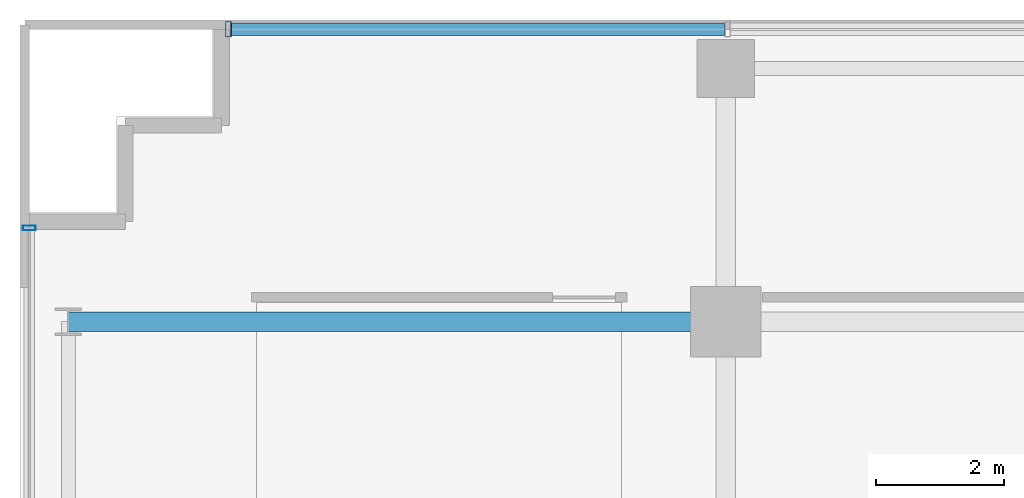
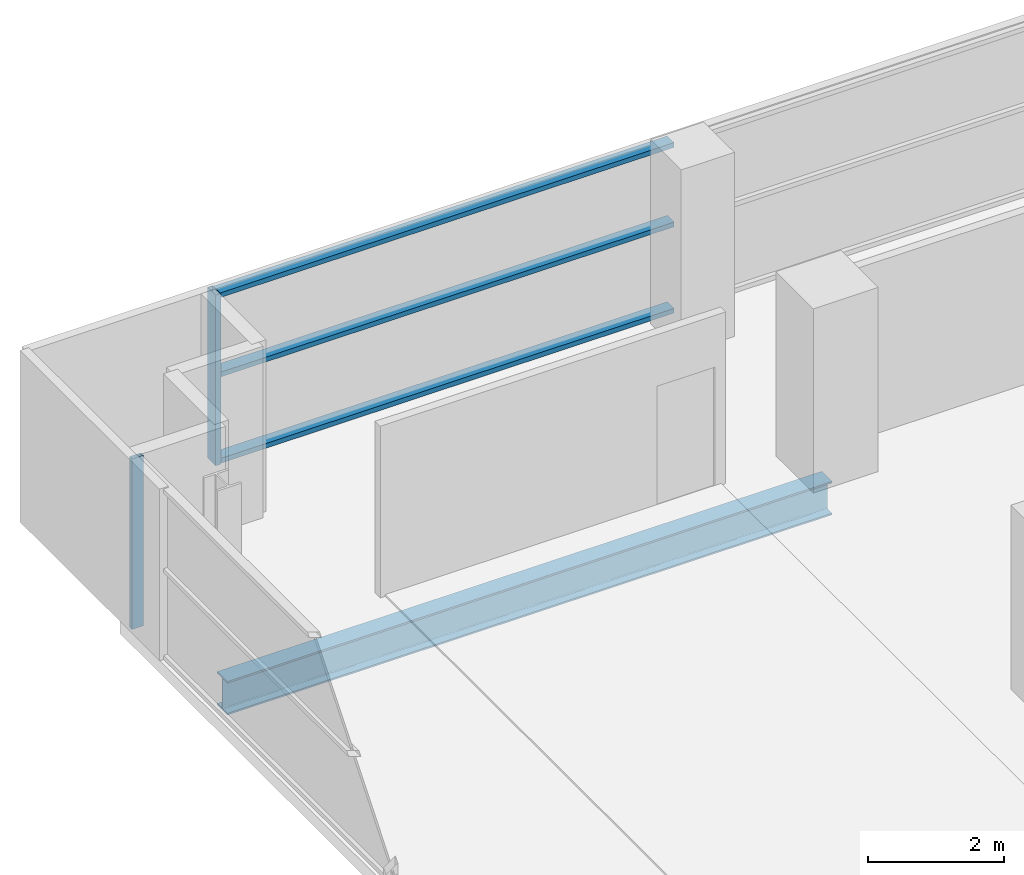
# One storey, part 16 of 30: 5 members, 1 beam, 2 elements without a shape of their own.
"""IFC4 building model written with IfcOpenShell, lengths in metres."""

from ifc_helpers import new_model, si_unit, direction, frame, origin, origin_2d, place, context, subcontext, project, spatial, hollow_rectangle, i_section, extrude, source, transform, mapped, material, layer, layer_set, material_profile, profile_set, type_object, element, aggregate, save


model = new_model("IFC4")

# Units and contexts
model_context = context("Model", 3, precision=1e-05, world=origin(), true_north=direction((0.0, 1.0)))
body_context = subcontext(model_context, "Body", "Model", "MODEL_VIEW")
ifc_project = project(units=[si_unit("LENGTHUNIT", "METRE"), si_unit("AREAUNIT", "SQUARE_METRE"), si_unit("VOLUMEUNIT", "CUBIC_METRE"), si_unit("PLANEANGLEUNIT", "RADIAN"), si_unit("MASSUNIT", "GRAM", prefix="KILO")], contexts=[model_context])

# Site, building, storey
site_placement = place(None, origin())
site = spatial("IfcSite", under=ifc_project, at=site_placement, CompositionType="ELEMENT")
building_placement = place(site_placement, origin())
building = spatial("IfcBuilding", under=site, at=building_placement, Name="Zarnakvel Exchange Tower", CompositionType="ELEMENT")
storey_placement = place(building_placement, frame((0.0, 0.0, 50.5)))
storey = spatial("IfcBuildingStorey", under=building, at=storey_placement, Name="L13", CompositionType="ELEMENT", Elevation=50.5)

# Beam
ifc_material_1 = material(Name="Steel S355", Category="steel")
ifc_material_profile_1 = material_profile(ifc_material_1, i_section(OverallWidth=0.300048828125, OverallDepth=0.60009765625, WebThickness=0.015380859375, FlangeThickness=0.030029296875, FilletRadius=0.027099609375, at=origin_2d()))
ifc_profile_set_1 = profile_set([ifc_material_profile_1], Name="Steel S355")
beam_type = type_object("IfcBeamType", Name="G-04", PredefinedType="BEAM", material=ifc_profile_set_1)
beam_placement = place(storey_placement, frame((-31.85009765625, 13.5, -0.52490234375), z_axis=(1.0, 0.0, 0.0), x_axis=(0.0, 1.0, 0.0)))
element("IfcBeam", 1, at=beam_placement, inside=storey, type_object=beam_type, Name="L13 Tower E-W Frame Beam", PredefinedType="BEAM", context=body_context, shape_type="SweptSolid", body=[
    extrude(i_section(OverallWidth=0.300048828125, OverallDepth=0.60009765625, WebThickness=0.015380859375, FlangeThickness=0.030029296875, FilletRadius=0.027099609375, at=origin_2d()), origin(), (0.0, 0.0, 1.0), 10.25),
])

# Curtain wall, members
ifc_material_2 = material(Name="Architectural Bronze Anodised Aluminium", Category="aluminium")
ifc_layer_1 = layer(ifc_material_2, 0.239990234375)
ifc_layer_set_1 = layer_set([ifc_layer_1], Name="Architectural Bronze Anodised Aluminium")
curtain_wall_type_1 = type_object("IfcCurtainWallType", Name="CW-02", PredefinedType="NOTDEFINED", material=ifc_layer_set_1)
curtain_wall_1_placement = place(storey_placement, origin())
curtain_wall_1 = element("IfcCurtainWall", 2, at=curtain_wall_1_placement, inside=storey, type_object=curtain_wall_type_1, Name="L13 Curtain Wall CW-L13-N1 (CW-02)", PredefinedType="NOTDEFINED")
ifc_material_profile_2 = material_profile(ifc_material_2, hollow_rectangle(XDim=0.199951171875, YDim=0.0849609375, WallThickness=0.0048828125, at=origin_2d()))
ifc_profile_set_2 = profile_set([ifc_material_profile_2], Name="Architectural Bronze Anodised Aluminium")
member_type_1 = type_object("IfcMemberType", Name="CWT-02", PredefinedType="USERDEFINED", material=ifc_profile_set_2)
shared_shape_1 = source(origin(), body_context, "Body", "SweptSolid", [
    extrude(hollow_rectangle(XDim=0.199951171875, YDim=0.0849609375, WallThickness=0.0048828125, at=origin_2d()), origin(), (0.0, 0.0, 1.0), 7.693603515625),
])
member_1_placement = place(storey_placement, frame((-29.31005859375, 18.06005859375, 0.04248046875), z_axis=(1.0, 0.0, 0.0), x_axis=(0.0, 1.0, 0.0)))
member_1 = element("IfcMember", 3, at=member_1_placement, type_object=member_type_1, Name="CW-02 transom 1.1", ObjectType="TRANSOM", PredefinedType="USERDEFINED", context=body_context, shape_type="MappedRepresentation", body=[
    mapped(shared_shape_1, transform((0.0, 0.0, 0.0), x_axis=(1.0, 0.0, 0.0), y_axis=(0.0, 1.0, 0.0), z_axis=(0.0, 0.0, 1.0), scale=1.0)),
])
member_2_placement = place(storey_placement, frame((-29.31005859375, 18.06005859375, 1.588623046875), z_axis=(1.0, 0.0, 0.0), x_axis=(0.0, 1.0, 0.0)))
member_2 = element("IfcMember", 4, at=member_2_placement, type_object=member_type_1, Name="CW-02 transom 1.2", ObjectType="TRANSOM", PredefinedType="USERDEFINED", context=body_context, shape_type="MappedRepresentation", body=[
    mapped(shared_shape_1, transform((0.0, 0.0, 0.0), x_axis=(1.0, 0.0, 0.0), y_axis=(0.0, 1.0, 0.0), z_axis=(0.0, 0.0, 1.0), scale=1.0)),
])
member_3_placement = place(storey_placement, frame((-29.31005859375, 18.06005859375, 3.012451171875), z_axis=(1.0, 0.0, 0.0), x_axis=(0.0, 1.0, 0.0)))
member_3 = element("IfcMember", 5, at=member_3_placement, type_object=member_type_1, Name="CW-02 transom 1.3", ObjectType="TRANSOM", PredefinedType="USERDEFINED", context=body_context, shape_type="MappedRepresentation", body=[
    mapped(shared_shape_1, transform((0.0, 0.0, 0.0), x_axis=(1.0, 0.0, 0.0), y_axis=(0.0, 1.0, 0.0), z_axis=(0.0, 0.0, 1.0), scale=1.0)),
])
ifc_material_profile_3 = material_profile(ifc_material_2, hollow_rectangle(XDim=0.239990234375, YDim=0.090087890625, WallThickness=0.006103515625, at=origin_2d()))
ifc_profile_set_3 = profile_set([ifc_material_profile_3], Name="Architectural Bronze Anodised Aluminium")
member_type_2 = type_object("IfcMemberType", Name="CWM-02", PredefinedType="MULLION", material=ifc_profile_set_3)
shared_shape_2 = source(origin(), body_context, "Body", "SweptSolid", [
    extrude(hollow_rectangle(XDim=0.239990234375, YDim=0.090087890625, WallThickness=0.006103515625, at=origin_2d()), origin(), (0.0, 0.0, 1.0), 3.054931640625),
])
member_4_placement = place(storey_placement, frame((-29.35498046875, 18.06005859375, 0.0), z_axis=(0.0, 0.0, 1.0), x_axis=(0.0, 1.0, 0.0)))
member_4 = element("IfcMember", 6, at=member_4_placement, type_object=member_type_2, Name="CW-02 mullion 1", PredefinedType="MULLION", context=body_context, shape_type="MappedRepresentation", body=[
    mapped(shared_shape_2, transform((0.0, 0.0, 0.0), x_axis=(1.0, 0.0, 0.0), y_axis=(0.0, 1.0, 0.0), z_axis=(0.0, 0.0, 1.0), scale=1.0)),
])
aggregate(curtain_wall_1, [member_4, member_1, member_2, member_3])

# Curtain wall, member
ifc_layer_2 = layer(ifc_material_2, 0.199951171875)
ifc_layer_set_2 = layer_set([ifc_layer_2], Name="Architectural Bronze Anodised Aluminium")
curtain_wall_type_2 = type_object("IfcCurtainWallType", Name="CW-04", PredefinedType="NOTDEFINED", material=ifc_layer_set_2)
curtain_wall_2_placement = place(storey_placement, origin())
curtain_wall_2 = element("IfcCurtainWall", 7, at=curtain_wall_2_placement, inside=storey, type_object=curtain_wall_type_2, Name="L13 Curtain Wall CW-L13-W1 (CW-04)", PredefinedType="NOTDEFINED")
ifc_material_profile_4 = material_profile(ifc_material_2, hollow_rectangle(XDim=0.199951171875, YDim=0.074951171875, WallThickness=0.0048828125, at=origin_2d()))
ifc_profile_set_4 = profile_set([ifc_material_profile_4], Name="Architectural Bronze Anodised Aluminium")
member_type_3 = type_object("IfcMemberType", Name="CWM-04", PredefinedType="MULLION", material=ifc_profile_set_4)
shared_shape_3 = source(origin(), body_context, "Body", "SweptSolid", [
    extrude(hollow_rectangle(XDim=0.199951171875, YDim=0.074951171875, WallThickness=0.0048828125, at=origin_2d()), origin(), (0.0, 0.0, 1.0), 3.054931640625),
])
member_5_placement = place(storey_placement, frame((-32.4599609375, 14.96240234375, 0.0), z_axis=(0.0, 0.0, 1.0), x_axis=(-1.0, 0.0, 0.0)))
member_5 = element("IfcMember", 8, at=member_5_placement, type_object=member_type_3, Name="CW-04 mullion 5", PredefinedType="MULLION", context=body_context, shape_type="MappedRepresentation", body=[
    mapped(shared_shape_3, transform((0.0, 0.0, 0.0), x_axis=(1.0, 0.0, 0.0), y_axis=(0.0, 1.0, 0.0), z_axis=(0.0, 0.0, 1.0), scale=1.0)),
])
aggregate(curtain_wall_2, [member_5])

save(model, "model.ifc")
